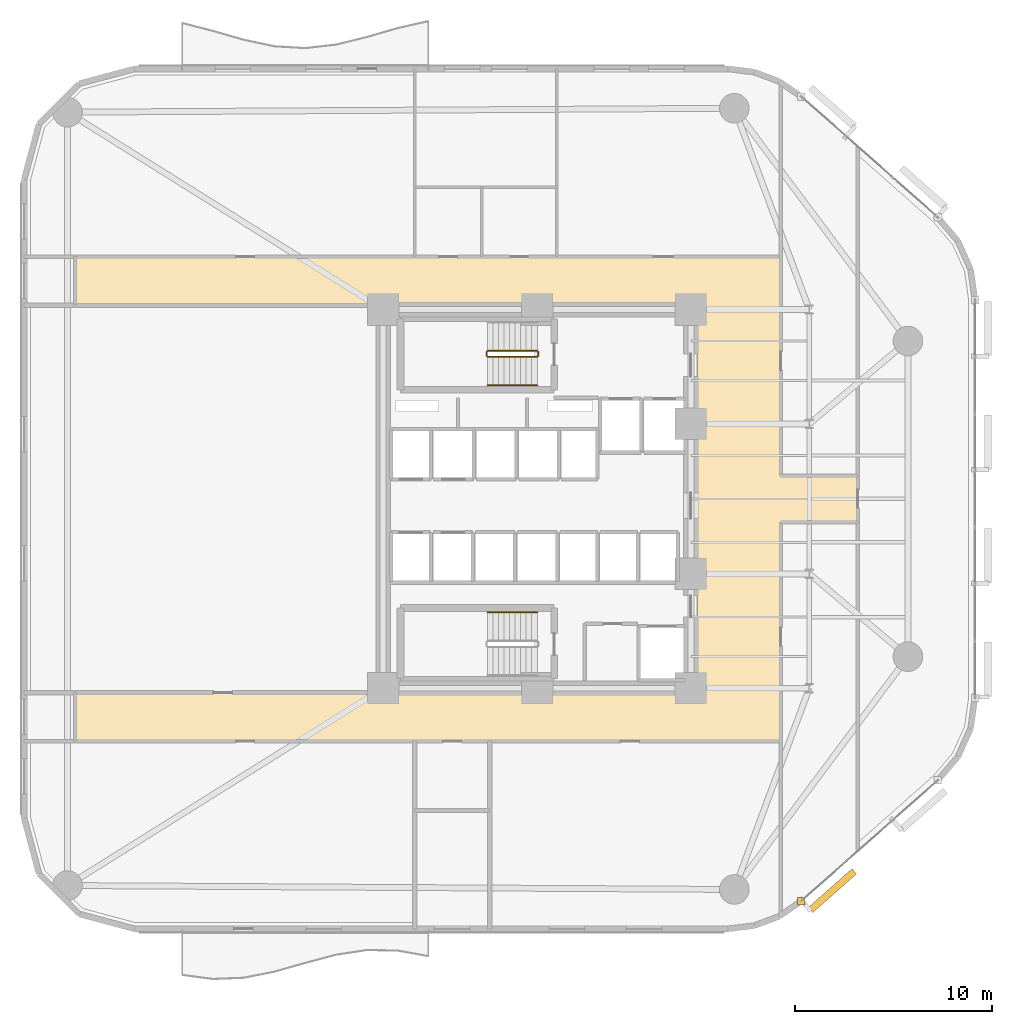
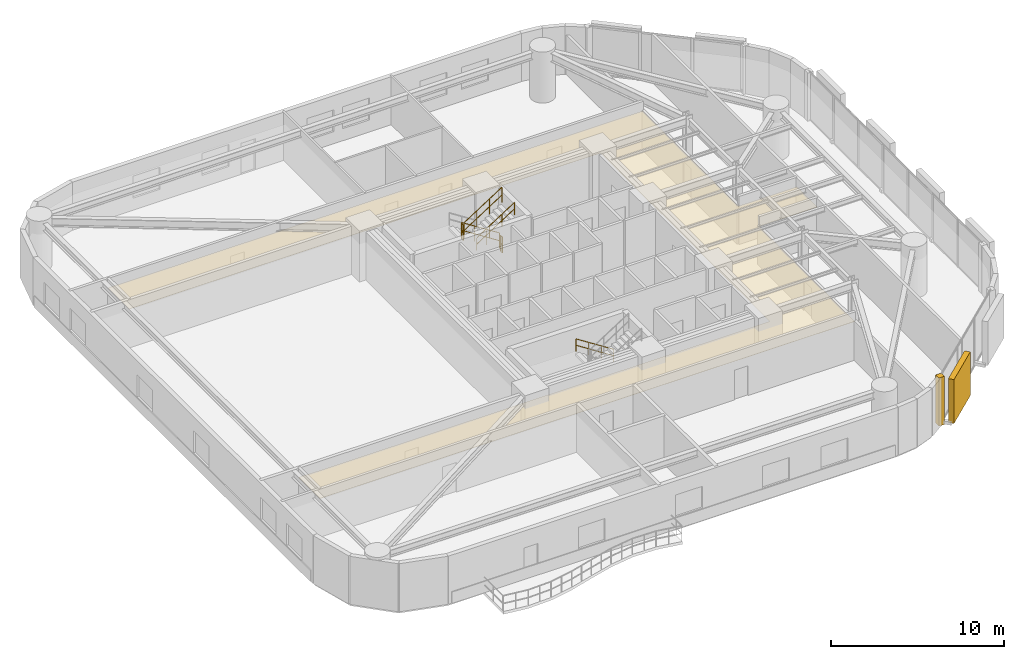
# One storey, part 14 of 15: 6 railings, 2 coverings, 1 shading device.
"""IFC4 building model written with IfcOpenShell, lengths in metres."""

from ifc_helpers import new_model, si_unit, direction, frame, origin, origin_2d, place, context, subcontext, project, spatial, polyline, rectangle, circle, outline, extrude, material, layer, layer_set, type_object, element, save


model = new_model("IFC4")

# Units and contexts
model_context = context("Model", 3, precision=1e-05, world=origin(), true_north=direction((0.0, 1.0)))
body_context = subcontext(model_context, "Body", "Model", "MODEL_VIEW")
ifc_project = project(units=[si_unit("LENGTHUNIT", "METRE"), si_unit("AREAUNIT", "SQUARE_METRE"), si_unit("VOLUMEUNIT", "CUBIC_METRE"), si_unit("PLANEANGLEUNIT", "RADIAN"), si_unit("MASSUNIT", "GRAM", prefix="KILO")], contexts=[model_context])

# Site, building, storey
site_placement = place(None, origin())
site = spatial("IfcSite", under=ifc_project, at=site_placement, CompositionType="ELEMENT")
building_placement = place(site_placement, origin())
building = spatial("IfcBuilding", under=site, at=building_placement, Name="An Khanh Terracotta Commons", CompositionType="ELEMENT")
storey_placement = place(building_placement, frame((0.0, 0.0, 64.800048828125)))
storey = spatial("IfcBuildingStorey", under=building, at=storey_placement, Name="L17", CompositionType="ELEMENT", Elevation=64.800048828125)

# Coverings
ifc_material_1 = material(Name="Perforated Mineral-Fibre Acoustic Tile")
ifc_layer_1 = layer(ifc_material_1, 0.02001953125, Name="Perforated Mineral-Fibre Acoustic Tile")
ifc_layer_set_1 = layer_set([ifc_layer_1], Name="Perforated Mineral-Fibre Acoustic Tile")
covering_type_1 = type_object("IfcCoveringType", Name="CEIL-ACOUSTIC-18", PredefinedType="CEILING", material=ifc_layer_set_1)
covering_1_placement = place(storey_placement, frame((0.0, 0.0, 2.64990234375)))
element("IfcCovering", 1, at=covering_1_placement, inside=storey, type_object=covering_type_1, Name="L17 Corridor Ceiling", PredefinedType="CEILING", context=body_context, shape_type="SweptSolid", body=[
    extrude(outline(polyline([(6.0, 11.719970703125), (6.0, 14.179931640625), (37.5, 14.179931640625), (37.5, 33.820068359375), (6.0, 33.820068359375), (6.0, 36.280029296875), (37.5, 36.280029296875), (41.75, 36.280029296875), (41.75, 33.820068359375), (41.75, 25.179931640625), (45.64990234375, 25.179931640625), (45.64990234375, 22.820068359375), (41.75, 22.820068359375), (41.75, 14.179931640625), (41.75, 11.719970703125), (37.5, 11.719970703125), (6.0, 11.719970703125)])), origin(), (0.0, 0.0, 1.0), 0.02001953125),
])
ifc_material_2 = material(Name="Fired Terracotta Rainscreen Cladding", Category="masonry")
ifc_layer_2 = layer(ifc_material_2, 0.080078125, Name="Fired Terracotta Rainscreen Cladding")
ifc_layer_set_2 = layer_set([ifc_layer_2], Name="Fired Terracotta Rainscreen Cladding")
covering_type_2 = type_object("IfcCoveringType", Name="COV-JAMB-TERRA", PredefinedType="CLADDING", material=ifc_layer_set_2)
covering_2_placement = place(storey_placement, frame((42.7890625, 3.60595703125, 0.0), z_axis=(0.0, 0.0, 1.0), x_axis=(1.0, 0.0, 0.0)))
element("IfcCovering", 2, at=covering_2_placement, inside=storey, type_object=covering_type_2, Name="L17 CW-02 Curtain-Wall Jamb Closure JA", PredefinedType="CLADDING", context=body_context, shape_type="SweptSolid", body=[
    extrude(rectangle(XDim=0.3798828125, YDim=0.3798828125, at=origin_2d()), origin(), (0.0, 0.0, 1.0), 3.39990234375),
])

# Railings
ifc_material_3 = material(Name="Brushed Stainless Steel 316", Category="steel")
railing_type_1 = type_object("IfcRailingType", Name="RAIL-HANDRAIL-900", PredefinedType="HANDRAIL", material=ifc_material_3)
railing_1_placement = place(storey_placement, frame((26.889892578125, 29.75, 1.97998046875)))
element("IfcRailing", 3, at=railing_1_placement, inside=storey, type_object=railing_type_1, Name="L17 ST-01 stair handrail 2", PredefinedType="HANDRAIL", context=body_context, shape_type="SweptSolid", body=[
    extrude(circle(Radius=0.02392578125, at=origin_2d()), frame((0.0, 0.0, 0.8759765625), z_axis=(0.841199657755, 0.0, 0.540724639528), x_axis=(0.0, 1.0, 0.0)), (0.0, 0.0, 1.0), 2.995849609375),
    extrude(circle(Radius=0.02392578125, at=origin_2d()), frame((0.0, 0.0, 0.42578125), z_axis=(0.841199657755, 0.0, 0.540724639528), x_axis=(0.0, 1.0, 0.0)), (0.0, 0.0, 1.0), 2.995849609375),
    extrude(circle(Radius=0.02099609375, at=origin_2d()), origin(), (0.0, 0.0, 1.0), 0.851806640625),
    extrude(circle(Radius=0.02099609375, at=origin_2d()), frame((0.840087890625, 0.0, 0.5400390625)), (0.0, 0.0, 1.0), 0.851806640625),
    extrude(circle(Radius=0.02099609375, at=origin_2d()), frame((1.679931640625, 0.0, 1.079833984375)), (0.0, 0.0, 1.0), 0.851806640625),
    extrude(circle(Radius=0.02099609375, at=origin_2d()), frame((2.52001953125, 0.0, 1.619873046875)), (0.0, 0.0, 1.0), 0.851806640625),
])
railing_2_placement = place(storey_placement, frame((29.409912109375, 18.25, 0.179931640625)))
element("IfcRailing", 4, at=railing_2_placement, inside=storey, type_object=railing_type_1, Name="L17 ST-02 stair handrail 1", PredefinedType="HANDRAIL", context=body_context, shape_type="SweptSolid", body=[
    extrude(circle(Radius=0.02392578125, at=origin_2d()), frame((0.0, 0.0, 0.8759765625), z_axis=(-0.841162588446, 0.0, 0.540782303519), x_axis=(0.0, -1.0, 0.0)), (0.0, 0.0, 1.0), 2.995849609375),
    extrude(circle(Radius=0.02392578125, at=origin_2d()), frame((0.0, 0.0, 0.42578125), z_axis=(-0.841162588446, 0.0, 0.540782303519), x_axis=(0.0, -1.0, 0.0)), (0.0, 0.0, 1.0), 2.995849609375),
    extrude(circle(Radius=0.02099609375, at=origin_2d()), origin(), (0.0, 0.0, 1.0), 0.851806640625),
    extrude(circle(Radius=0.02099609375, at=origin_2d()), frame((-0.840087890625, 0.0, 0.5400390625)), (0.0, 0.0, 1.0), 0.851806640625),
    extrude(circle(Radius=0.02099609375, at=origin_2d()), frame((-1.679931640625, 0.0, 1.080078125)), (0.0, 0.0, 1.0), 0.851806640625),
    extrude(circle(Radius=0.02099609375, at=origin_2d()), frame((-2.52001953125, 0.0, 1.6201171875)), (0.0, 0.0, 1.0), 0.851806640625),
])
ifc_material_4 = material(Name="Powder-Coated Steel S355J2", Category="steel")
railing_type_2 = type_object("IfcRailingType", Name="RAIL-STAIR-GUARD-1100", PredefinedType="BALUSTRADE", material=ifc_material_4)
railing_3_placement = place(storey_placement, frame((29.409912109375, 31.5, 0.179931640625)))
element("IfcRailing", 5, at=railing_3_placement, inside=storey, type_object=railing_type_2, Name="L17 ST-01 stair guard 1", PredefinedType="BALUSTRADE", context=body_context, shape_type="SweptSolid", body=[
    extrude(circle(Radius=0.02392578125, at=origin_2d()), frame((0.0, 0.0, 1.076171875), z_axis=(-0.841162588446, 0.0, 0.540782303519), x_axis=(0.0, -1.0, 0.0)), (0.0, 0.0, 1.0), 2.995849609375),
    extrude(circle(Radius=0.02392578125, at=origin_2d()), frame((0.0, 0.0, 0.52587890625), z_axis=(-0.841162588446, 0.0, 0.540782303519), x_axis=(0.0, -1.0, 0.0)), (0.0, 0.0, 1.0), 2.995849609375),
    extrude(circle(Radius=0.02099609375, at=origin_2d()), origin(), (0.0, 0.0, 1.0), 1.052001953125),
    extrude(circle(Radius=0.02099609375, at=origin_2d()), frame((-0.840087890625, 0.0, 0.5400390625)), (0.0, 0.0, 1.0), 1.052001953125),
    extrude(circle(Radius=0.02099609375, at=origin_2d()), frame((-1.679931640625, 0.0, 1.080078125)), (0.0, 0.0, 1.0), 1.052001953125),
    extrude(circle(Radius=0.02099609375, at=origin_2d()), frame((-2.52001953125, 0.0, 1.6201171875)), (0.0, 0.0, 1.0), 1.052001953125),
])
railing_4_placement = place(storey_placement, frame((26.840087890625, 31.449951171875, 1.800048828125)))
element("IfcRailing", 6, at=railing_4_placement, inside=storey, type_object=railing_type_2, Name="L17 ST-01 stair guard 2", PredefinedType="BALUSTRADE", context=body_context, shape_type="SweptSolid", body=[
    extrude(circle(Radius=0.02392578125, at=origin_2d()), frame((0.0, 0.0, 1.076171875), z_axis=(0.0, -1.0, 0.0), x_axis=(1.0, 0.0, 0.0)), (0.0, 0.0, 1.0), 0.199951171875),
    extrude(circle(Radius=0.02392578125, at=origin_2d()), frame((0.0, 0.0, 0.52587890625), z_axis=(0.0, -1.0, 0.0), x_axis=(1.0, 0.0, 0.0)), (0.0, 0.0, 1.0), 0.199951171875),
    extrude(circle(Radius=0.02099609375, at=origin_2d()), origin(), (0.0, 0.0, 1.0), 1.052001953125),
    extrude(circle(Radius=0.02099609375, at=origin_2d()), frame((0.0, -0.199951171875, 0.0)), (0.0, 0.0, 1.0), 1.052001953125),
])
railing_5_placement = place(storey_placement, frame((26.889892578125, 31.199951171875, 1.97998046875)))
element("IfcRailing", 7, at=railing_5_placement, inside=storey, type_object=railing_type_2, Name="L17 ST-01 stair guard 3", PredefinedType="BALUSTRADE", context=body_context, shape_type="SweptSolid", body=[
    extrude(circle(Radius=0.02392578125, at=origin_2d()), frame((0.0, 0.0, 1.076171875), z_axis=(0.841199657755, 0.0, 0.540724639528), x_axis=(0.0, 1.0, 0.0)), (0.0, 0.0, 1.0), 2.995849609375),
    extrude(circle(Radius=0.02392578125, at=origin_2d()), frame((0.0, 0.0, 0.52587890625), z_axis=(0.841199657755, 0.0, 0.540724639528), x_axis=(0.0, 1.0, 0.0)), (0.0, 0.0, 1.0), 2.995849609375),
    extrude(circle(Radius=0.02099609375, at=origin_2d()), origin(), (0.0, 0.0, 1.0), 1.052001953125),
    extrude(circle(Radius=0.02099609375, at=origin_2d()), frame((0.840087890625, 0.0, 0.5400390625)), (0.0, 0.0, 1.0), 1.052001953125),
    extrude(circle(Radius=0.02099609375, at=origin_2d()), frame((1.679931640625, 0.0, 1.079833984375)), (0.0, 0.0, 1.0), 1.052001953125),
    extrude(circle(Radius=0.02099609375, at=origin_2d()), frame((2.52001953125, 0.0, 1.619873046875)), (0.0, 0.0, 1.0), 1.052001953125),
])
railing_6_placement = place(storey_placement, frame((29.4599609375, 31.449951171875, 0.0)))
element("IfcRailing", 8, at=railing_6_placement, inside=storey, type_object=railing_type_2, Name="L17 ST-01 stair guard 4", PredefinedType="BALUSTRADE", context=body_context, shape_type="SweptSolid", body=[
    extrude(circle(Radius=0.02392578125, at=origin_2d()), frame((0.0, 0.0, 1.076171875), z_axis=(0.0, -1.0, 0.0), x_axis=(1.0, 0.0, 0.0)), (0.0, 0.0, 1.0), 0.199951171875),
    extrude(circle(Radius=0.02392578125, at=origin_2d()), frame((0.0, 0.0, 0.52587890625), z_axis=(0.0, -1.0, 0.0), x_axis=(1.0, 0.0, 0.0)), (0.0, 0.0, 1.0), 0.199951171875),
    extrude(circle(Radius=0.02099609375, at=origin_2d()), origin(), (0.0, 0.0, 1.0), 1.052001953125),
    extrude(circle(Radius=0.02099609375, at=origin_2d()), frame((0.0, -0.199951171875, 0.0)), (0.0, 0.0, 1.0), 1.052001953125),
])

# Shading device
ifc_material_5 = material(Name="Extruded Fired Terracotta", Category="masonry")
shading_device_type = type_object("IfcShadingDeviceType", Name="Terracotta Baguette Screen Assembly", PredefinedType="USERDEFINED", material=ifc_material_5)
shading_device_placement = place(storey_placement, frame((44.373046875, 4.138916015625, 0.14990234375), z_axis=(0.0, 0.0, 1.0), x_axis=(0.749019284633, 0.662548195415, 0.0)))
element("IfcShadingDevice", 9, at=shading_device_placement, inside=storey, type_object=shading_device_type, Name="L17 Terracotta Baguette Screen 1", ObjectType="BAGUETTE", PredefinedType="USERDEFINED", context=body_context, shape_type="SweptSolid", body=[
    extrude(rectangle(XDim=2.9599609375, YDim=0.35009765625, at=origin_2d()), origin(), (0.0, 0.0, 1.0), 3.10009765625),
])

save(model, "model.ifc")
